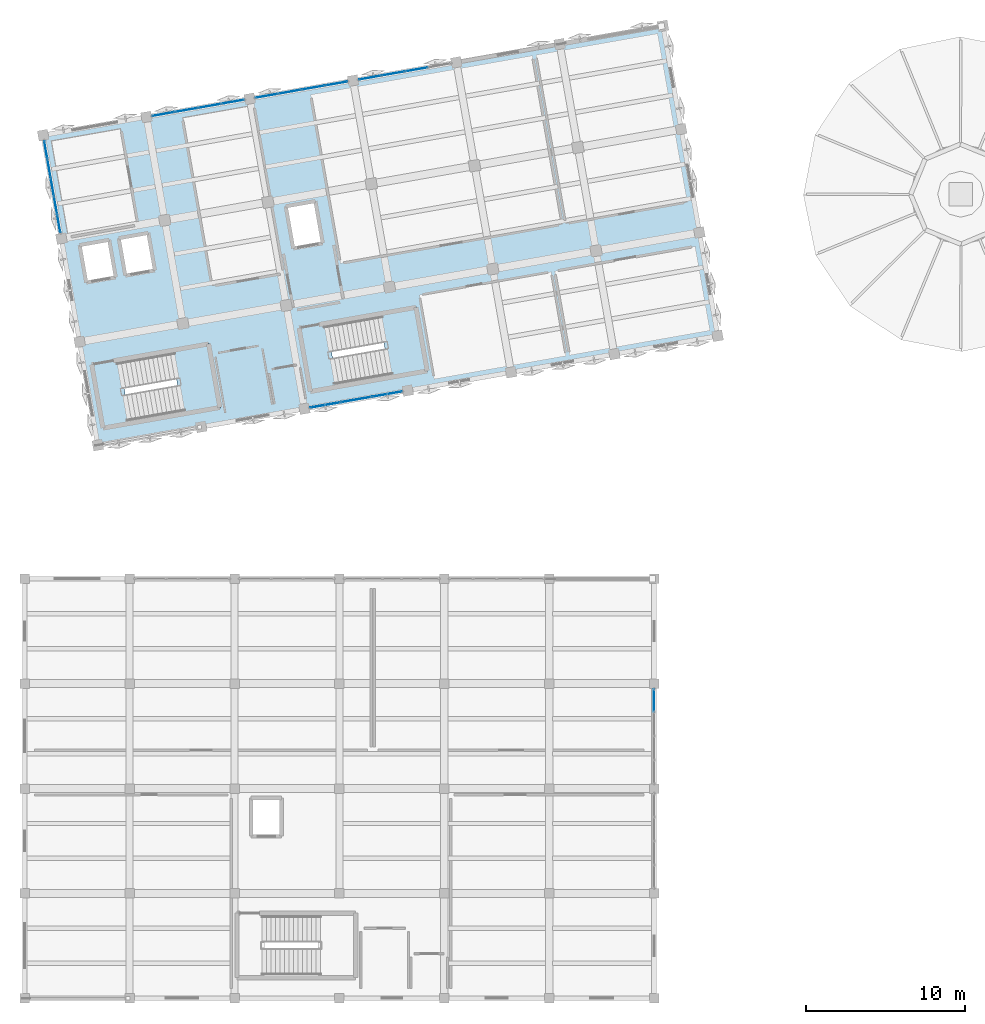
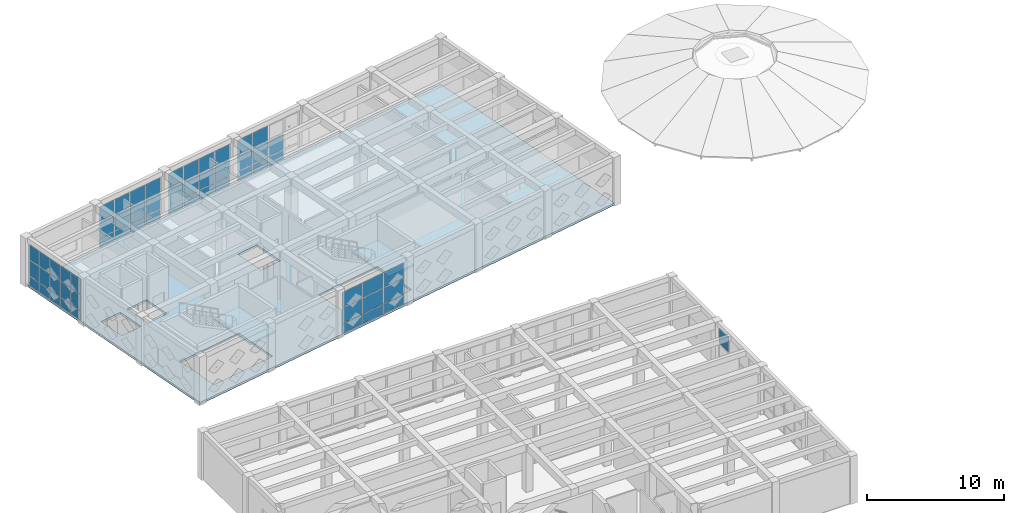
# One storey, part 43 of 67: 57 plates, 3 slabs, 8 elements without a shape of their own.
"""IFC4 building model written with IfcOpenShell, lengths in metres."""

from ifc_helpers import new_model, si_unit, direction, frame, origin, origin_2d, place, context, subcontext, project, spatial, polyline, rectangle, outline, extrude, material, layer, layer_set, type_object, element, aggregate, save


model = new_model("IFC4")

# Units and contexts
model_context = context("Model", 3, precision=1e-05, world=origin(), true_north=direction((0.0, 1.0)))
body_context = subcontext(model_context, "Body", "Model", "MODEL_VIEW")
ifc_project = project(units=[si_unit("LENGTHUNIT", "METRE"), si_unit("AREAUNIT", "SQUARE_METRE"), si_unit("VOLUMEUNIT", "CUBIC_METRE"), si_unit("PLANEANGLEUNIT", "RADIAN"), si_unit("MASSUNIT", "GRAM", prefix="KILO")], contexts=[model_context])

# Site, building, storey
site_placement = place(None, origin())
site = spatial("IfcSite", under=ifc_project, at=site_placement, CompositionType="ELEMENT")
building_placement = place(site_placement, origin())
building = spatial("IfcBuilding", under=site, at=building_placement, Name="Kharisveld Research Institute", CompositionType="ELEMENT")
storey_placement = place(building_placement, frame((0.0, 0.0, 9.60009765625)))
storey = spatial("IfcBuildingStorey", under=building, at=storey_placement, Name="L02", CompositionType="ELEMENT", Elevation=9.60009765625)

# Curtain wall, plates
ifc_material_1 = material(Name="Thermally Broken Aluminium Curtain Wall", Category="aluminium")
ifc_layer_1 = layer(ifc_material_1, 0.159912109375)
ifc_layer_set_1 = layer_set([ifc_layer_1], Name="CW_SYS_01")
curtain_wall_type_1 = type_object("IfcCurtainWallType", Name="CW_SYS_01", PredefinedType="NOTDEFINED", material=ifc_layer_set_1)
curtain_wall_1_placement = place(storey_placement, origin())
curtain_wall_1 = element("IfcCurtainWall", 1, at=curtain_wall_1_placement, inside=storey, type_object=curtain_wall_type_1, Name="CW:V1:L02:W2", PredefinedType="NOTDEFINED")
ifc_material_2 = material(Name="Low-E Double Glazing", Category="glass")
ifc_layer_2 = layer(ifc_material_2, 0.028076171875)
ifc_layer_set_2 = layer_set([ifc_layer_2], Name="CW_PNL_GLZ")
plate_type_1 = type_object("IfcPlateType", Name="CW_PNL_GLZ", PredefinedType="CURTAIN_PANEL", material=ifc_layer_set_2)
plate_1_placement = place(storey_placement, frame((2.745849609375, 48.9287109375, 0.06494140625), z_axis=(0.0, 0.0, 1.0), x_axis=(-0.173648266375, 0.984807737371, 0.0)))
plate_1 = element("IfcPlate", 2, at=plate_1_placement, type_object=plate_type_1, Name="CW-01 panel 1.1", PredefinedType="CURTAIN_PANEL", context=body_context, shape_type="SweptSolid", body=[
    extrude(rectangle(XDim=1.0869140625, YDim=0.028076171875, at=origin_2d()), origin(), (0.0, 0.0, 1.0), 0.802490234375),
])
plate_2_placement = place(storey_placement, frame((2.745849609375, 48.9287109375, 0.9326171875), z_axis=(0.0, 0.0, 1.0), x_axis=(-0.173648266375, 0.984807737371, 0.0)))
plate_2 = element("IfcPlate", 3, at=plate_2_placement, type_object=plate_type_1, Name="CW-01 panel 1.2", PredefinedType="CURTAIN_PANEL", context=body_context, shape_type="SweptSolid", body=[
    extrude(rectangle(XDim=1.0869140625, YDim=0.028076171875, at=origin_2d()), origin(), (0.0, 0.0, 1.0), 1.385009765625),
])
plate_3_placement = place(storey_placement, frame((2.745849609375, 48.9287109375, 2.38232421875), z_axis=(0.0, 0.0, 1.0), x_axis=(-0.173648266375, 0.984807737371, 0.0)))
plate_3 = element("IfcPlate", 4, at=plate_3_placement, type_object=plate_type_1, Name="CW-01 panel 1.3", PredefinedType="CURTAIN_PANEL", context=body_context, shape_type="SweptSolid", body=[
    extrude(rectangle(XDim=1.0869140625, YDim=0.028076171875, at=origin_2d()), origin(), (0.0, 0.0, 1.0), 1.33251953125),
])
plate_4_placement = place(storey_placement, frame((2.541748046875, 50.08544921875, 0.06494140625), z_axis=(0.0, 0.0, 1.0), x_axis=(-0.173648266375, 0.984807737371, 0.0)))
plate_4 = element("IfcPlate", 5, at=plate_4_placement, type_object=plate_type_1, Name="CW-01 panel 2.1", PredefinedType="CURTAIN_PANEL", context=body_context, shape_type="SweptSolid", body=[
    extrude(rectangle(XDim=1.1220703125, YDim=0.028076171875, at=origin_2d()), origin(), (0.0, 0.0, 1.0), 0.802490234375),
])
plate_5_placement = place(storey_placement, frame((2.541748046875, 50.08544921875, 0.9326171875), z_axis=(0.0, 0.0, 1.0), x_axis=(-0.173648266375, 0.984807737371, 0.0)))
plate_5 = element("IfcPlate", 6, at=plate_5_placement, type_object=plate_type_1, Name="CW-01 panel 2.2", PredefinedType="CURTAIN_PANEL", context=body_context, shape_type="SweptSolid", body=[
    extrude(rectangle(XDim=1.1220703125, YDim=0.028076171875, at=origin_2d()), origin(), (0.0, 0.0, 1.0), 1.385009765625),
])
plate_6_placement = place(storey_placement, frame((2.541748046875, 50.08544921875, 2.38232421875), z_axis=(0.0, 0.0, 1.0), x_axis=(-0.173648266375, 0.984807737371, 0.0)))
plate_6 = element("IfcPlate", 7, at=plate_6_placement, type_object=plate_type_1, Name="CW-01 panel 2.3", PredefinedType="CURTAIN_PANEL", context=body_context, shape_type="SweptSolid", body=[
    extrude(rectangle(XDim=1.1220703125, YDim=0.028076171875, at=origin_2d()), origin(), (0.0, 0.0, 1.0), 1.33251953125),
])
plate_7_placement = place(storey_placement, frame((2.334716796875, 51.25927734375, 0.06494140625), z_axis=(0.0, 0.0, 1.0), x_axis=(-0.173648266375, 0.984807737371, 0.0)))
plate_7 = element("IfcPlate", 8, at=plate_7_placement, type_object=plate_type_1, Name="CW-01 panel 3.1", PredefinedType="CURTAIN_PANEL", context=body_context, shape_type="SweptSolid", body=[
    extrude(rectangle(XDim=1.1220703125, YDim=0.028076171875, at=origin_2d()), origin(), (0.0, 0.0, 1.0), 0.802490234375),
])
plate_8_placement = place(storey_placement, frame((2.334716796875, 51.25927734375, 0.9326171875), z_axis=(0.0, 0.0, 1.0), x_axis=(-0.173648266375, 0.984807737371, 0.0)))
plate_8 = element("IfcPlate", 9, at=plate_8_placement, type_object=plate_type_1, Name="CW-01 panel 3.2", PredefinedType="CURTAIN_PANEL", context=body_context, shape_type="SweptSolid", body=[
    extrude(rectangle(XDim=1.1220703125, YDim=0.028076171875, at=origin_2d()), origin(), (0.0, 0.0, 1.0), 1.385009765625),
])
plate_9_placement = place(storey_placement, frame((2.334716796875, 51.25927734375, 2.38232421875), z_axis=(0.0, 0.0, 1.0), x_axis=(-0.173648266375, 0.984807737371, 0.0)))
plate_9 = element("IfcPlate", 10, at=plate_9_placement, type_object=plate_type_1, Name="CW-01 panel 3.3", PredefinedType="CURTAIN_PANEL", context=body_context, shape_type="SweptSolid", body=[
    extrude(rectangle(XDim=1.1220703125, YDim=0.028076171875, at=origin_2d()), origin(), (0.0, 0.0, 1.0), 1.33251953125),
])
plate_10_placement = place(storey_placement, frame((2.1279296875, 52.43310546875, 0.06494140625), z_axis=(0.0, 0.0, 1.0), x_axis=(-0.173648266375, 0.984807737371, 0.0)))
plate_10 = element("IfcPlate", 11, at=plate_10_placement, type_object=plate_type_1, Name="CW-01 panel 4.1", PredefinedType="CURTAIN_PANEL", context=body_context, shape_type="SweptSolid", body=[
    extrude(rectangle(XDim=1.1220703125, YDim=0.028076171875, at=origin_2d()), origin(), (0.0, 0.0, 1.0), 0.802490234375),
])
plate_11_placement = place(storey_placement, frame((2.1279296875, 52.43310546875, 0.9326171875), z_axis=(0.0, 0.0, 1.0), x_axis=(-0.173648266375, 0.984807737371, 0.0)))
plate_11 = element("IfcPlate", 12, at=plate_11_placement, type_object=plate_type_1, Name="CW-01 panel 4.2", PredefinedType="CURTAIN_PANEL", context=body_context, shape_type="SweptSolid", body=[
    extrude(rectangle(XDim=1.1220703125, YDim=0.028076171875, at=origin_2d()), origin(), (0.0, 0.0, 1.0), 1.385009765625),
])
plate_12_placement = place(storey_placement, frame((2.1279296875, 52.43310546875, 2.38232421875), z_axis=(0.0, 0.0, 1.0), x_axis=(-0.173648266375, 0.984807737371, 0.0)))
plate_12 = element("IfcPlate", 13, at=plate_12_placement, type_object=plate_type_1, Name="CW-01 panel 4.3", PredefinedType="CURTAIN_PANEL", context=body_context, shape_type="SweptSolid", body=[
    extrude(rectangle(XDim=1.1220703125, YDim=0.028076171875, at=origin_2d()), origin(), (0.0, 0.0, 1.0), 1.33251953125),
])
plate_13_placement = place(storey_placement, frame((1.923828125, 53.58984375, 0.06494140625), z_axis=(0.0, 0.0, 1.0), x_axis=(-0.173648266375, 0.984807737371, 0.0)))
plate_13 = element("IfcPlate", 14, at=plate_13_placement, type_object=plate_type_1, Name="CW-01 panel 5.1", PredefinedType="CURTAIN_PANEL", context=body_context, shape_type="SweptSolid", body=[
    extrude(rectangle(XDim=1.0869140625, YDim=0.028076171875, at=origin_2d()), origin(), (0.0, 0.0, 1.0), 0.802490234375),
])
plate_14_placement = place(storey_placement, frame((1.923828125, 53.58984375, 0.9326171875), z_axis=(0.0, 0.0, 1.0), x_axis=(-0.173648266375, 0.984807737371, 0.0)))
plate_14 = element("IfcPlate", 15, at=plate_14_placement, type_object=plate_type_1, Name="CW-01 panel 5.2", PredefinedType="CURTAIN_PANEL", context=body_context, shape_type="SweptSolid", body=[
    extrude(rectangle(XDim=1.0869140625, YDim=0.028076171875, at=origin_2d()), origin(), (0.0, 0.0, 1.0), 1.385009765625),
])
plate_15_placement = place(storey_placement, frame((1.923828125, 53.58984375, 2.38232421875), z_axis=(0.0, 0.0, 1.0), x_axis=(-0.173648266375, 0.984807737371, 0.0)))
plate_15 = element("IfcPlate", 16, at=plate_15_placement, type_object=plate_type_1, Name="CW-01 panel 5.3", PredefinedType="CURTAIN_PANEL", context=body_context, shape_type="SweptSolid", body=[
    extrude(rectangle(XDim=1.0869140625, YDim=0.028076171875, at=origin_2d()), origin(), (0.0, 0.0, 1.0), 1.33251953125),
])
aggregate(curtain_wall_1, [plate_1, plate_2, plate_3, plate_4, plate_5, plate_6, plate_7, plate_8, plate_9, plate_10, plate_11, plate_12, plate_13, plate_14, plate_15])

ifc_material_3 = material(Name="Thermally Broken Aluminium Curtain Wall", Category="aluminium")
ifc_layer_3 = layer(ifc_material_3, 0.159912109375)
ifc_layer_set_3 = layer_set([ifc_layer_3], Name="CW_SYS_02")
curtain_wall_type_2 = type_object("IfcCurtainWallType", Name="CW_SYS_02", PredefinedType="NOTDEFINED", material=ifc_layer_set_3)
curtain_wall_2_placement = place(storey_placement, origin())
curtain_wall_2 = element("IfcCurtainWall", 17, at=curtain_wall_2_placement, inside=storey, type_object=curtain_wall_type_2, Name="CW:V1:L02:N1", PredefinedType="NOTDEFINED")
plate_16_placement = place(storey_placement, frame((9.32763671875, 55.84326171875, 0.06494140625), z_axis=(0.0, 0.0, 1.0), x_axis=(0.984807732312, 0.173648295062, 0.0)))
plate_16 = element("IfcPlate", 18, at=plate_16_placement, type_object=plate_type_1, Name="CW-02 panel 1.1", PredefinedType="CURTAIN_PANEL", context=body_context, shape_type="SweptSolid", body=[
    extrude(rectangle(XDim=1.385009765625, YDim=0.028076171875, at=origin_2d()), origin(), (0.0, 0.0, 1.0), 0.802490234375),
])
plate_17_placement = place(storey_placement, frame((9.32763671875, 55.84326171875, 0.9326171875), z_axis=(0.0, 0.0, 1.0), x_axis=(0.984807732312, 0.173648295062, 0.0)))
plate_17 = element("IfcPlate", 19, at=plate_17_placement, type_object=plate_type_1, Name="CW-02 panel 1.2", PredefinedType="CURTAIN_PANEL", context=body_context, shape_type="SweptSolid", body=[
    extrude(rectangle(XDim=1.385009765625, YDim=0.028076171875, at=origin_2d()), origin(), (0.0, 0.0, 1.0), 1.385009765625),
])
plate_18_placement = place(storey_placement, frame((9.32763671875, 55.84326171875, 2.38232421875), z_axis=(0.0, 0.0, 1.0), x_axis=(0.984807732312, 0.173648295062, 0.0)))
plate_18 = element("IfcPlate", 20, at=plate_18_placement, type_object=plate_type_1, Name="CW-02 panel 1.3", PredefinedType="CURTAIN_PANEL", context=body_context, shape_type="SweptSolid", body=[
    extrude(rectangle(XDim=1.385009765625, YDim=0.028076171875, at=origin_2d()), origin(), (0.0, 0.0, 1.0), 1.33251953125),
])
plate_19_placement = place(storey_placement, frame((10.777587890625, 56.098876953125, 0.06494140625), z_axis=(0.0, 0.0, 1.0), x_axis=(0.984807732312, 0.173648295062, 0.0)))
plate_19 = element("IfcPlate", 21, at=plate_19_placement, type_object=plate_type_1, Name="CW-02 panel 2.1", PredefinedType="CURTAIN_PANEL", context=body_context, shape_type="SweptSolid", body=[
    extrude(rectangle(XDim=1.419921875, YDim=0.028076171875, at=origin_2d()), origin(), (0.0, 0.0, 1.0), 0.802490234375),
])
plate_20_placement = place(storey_placement, frame((10.777587890625, 56.098876953125, 0.9326171875), z_axis=(0.0, 0.0, 1.0), x_axis=(0.984807732312, 0.173648295062, 0.0)))
plate_20 = element("IfcPlate", 22, at=plate_20_placement, type_object=plate_type_1, Name="CW-02 panel 2.2", PredefinedType="CURTAIN_PANEL", context=body_context, shape_type="SweptSolid", body=[
    extrude(rectangle(XDim=1.419921875, YDim=0.028076171875, at=origin_2d()), origin(), (0.0, 0.0, 1.0), 1.385009765625),
])
plate_21_placement = place(storey_placement, frame((10.777587890625, 56.098876953125, 2.38232421875), z_axis=(0.0, 0.0, 1.0), x_axis=(0.984807732312, 0.173648295062, 0.0)))
plate_21 = element("IfcPlate", 23, at=plate_21_placement, type_object=plate_type_1, Name="CW-02 panel 2.3", PredefinedType="CURTAIN_PANEL", context=body_context, shape_type="SweptSolid", body=[
    extrude(rectangle(XDim=1.419921875, YDim=0.028076171875, at=origin_2d()), origin(), (0.0, 0.0, 1.0), 1.33251953125),
])
plate_22_placement = place(storey_placement, frame((12.2451171875, 56.357666015625, 0.06494140625), z_axis=(0.0, 0.0, 1.0), x_axis=(0.984807732312, 0.173648295062, 0.0)))
plate_22 = element("IfcPlate", 24, at=plate_22_placement, type_object=plate_type_1, Name="CW-02 panel 3.1", PredefinedType="CURTAIN_PANEL", context=body_context, shape_type="SweptSolid", body=[
    extrude(rectangle(XDim=1.419921875, YDim=0.028076171875, at=origin_2d()), origin(), (0.0, 0.0, 1.0), 0.802490234375),
])
plate_23_placement = place(storey_placement, frame((12.2451171875, 56.357666015625, 0.9326171875), z_axis=(0.0, 0.0, 1.0), x_axis=(0.984807732312, 0.173648295062, 0.0)))
plate_23 = element("IfcPlate", 25, at=plate_23_placement, type_object=plate_type_1, Name="CW-02 panel 3.2", PredefinedType="CURTAIN_PANEL", context=body_context, shape_type="SweptSolid", body=[
    extrude(rectangle(XDim=1.419921875, YDim=0.028076171875, at=origin_2d()), origin(), (0.0, 0.0, 1.0), 1.385009765625),
])
plate_24_placement = place(storey_placement, frame((12.2451171875, 56.357666015625, 2.38232421875), z_axis=(0.0, 0.0, 1.0), x_axis=(0.984807732312, 0.173648295062, 0.0)))
plate_24 = element("IfcPlate", 26, at=plate_24_placement, type_object=plate_type_1, Name="CW-02 panel 3.3", PredefinedType="CURTAIN_PANEL", context=body_context, shape_type="SweptSolid", body=[
    extrude(rectangle(XDim=1.419921875, YDim=0.028076171875, at=origin_2d()), origin(), (0.0, 0.0, 1.0), 1.33251953125),
])
plate_25_placement = place(storey_placement, frame((13.695068359375, 56.61328125, 0.06494140625), z_axis=(0.0, 0.0, 1.0), x_axis=(0.984807732312, 0.173648295062, 0.0)))
plate_25 = element("IfcPlate", 27, at=plate_25_placement, type_object=plate_type_1, Name="CW-02 panel 4.1", PredefinedType="CURTAIN_PANEL", context=body_context, shape_type="SweptSolid", body=[
    extrude(rectangle(XDim=1.385009765625, YDim=0.028076171875, at=origin_2d()), origin(), (0.0, 0.0, 1.0), 0.802490234375),
])
plate_26_placement = place(storey_placement, frame((13.695068359375, 56.61328125, 0.9326171875), z_axis=(0.0, 0.0, 1.0), x_axis=(0.984807732312, 0.173648295062, 0.0)))
plate_26 = element("IfcPlate", 28, at=plate_26_placement, type_object=plate_type_1, Name="CW-02 panel 4.2", PredefinedType="CURTAIN_PANEL", context=body_context, shape_type="SweptSolid", body=[
    extrude(rectangle(XDim=1.385009765625, YDim=0.028076171875, at=origin_2d()), origin(), (0.0, 0.0, 1.0), 1.385009765625),
])
plate_27_placement = place(storey_placement, frame((13.695068359375, 56.61328125, 2.38232421875), z_axis=(0.0, 0.0, 1.0), x_axis=(0.984807732312, 0.173648295062, 0.0)))
plate_27 = element("IfcPlate", 29, at=plate_27_placement, type_object=plate_type_1, Name="CW-02 panel 4.3", PredefinedType="CURTAIN_PANEL", context=body_context, shape_type="SweptSolid", body=[
    extrude(rectangle(XDim=1.385009765625, YDim=0.028076171875, at=origin_2d()), origin(), (0.0, 0.0, 1.0), 1.33251953125),
])
aggregate(curtain_wall_2, [plate_16, plate_17, plate_18, plate_19, plate_20, plate_21, plate_22, plate_23, plate_24, plate_25, plate_26, plate_27])

ifc_material_4 = material(Name="Thermally Broken Aluminium Curtain Wall", Category="aluminium")
ifc_layer_4 = layer(ifc_material_4, 0.159912109375)
ifc_layer_set_4 = layer_set([ifc_layer_4], Name="CW_SYS_03")
curtain_wall_type_3 = type_object("IfcCurtainWallType", Name="CW_SYS_03", PredefinedType="NOTDEFINED", material=ifc_layer_set_4)
curtain_wall_3_placement = place(storey_placement, origin())
curtain_wall_3 = element("IfcCurtainWall", 30, at=curtain_wall_3_placement, inside=storey, type_object=curtain_wall_type_3, Name="CW:V1:L02:N2", PredefinedType="NOTDEFINED")
plate_28_placement = place(storey_placement, frame((15.827392578125, 56.9892578125, 0.06494140625), z_axis=(0.0, 0.0, 1.0), x_axis=(0.984807737371, 0.173648266375, 0.0)))
plate_28 = element("IfcPlate", 31, at=plate_28_placement, type_object=plate_type_1, Name="CW-03 panel 1.1", PredefinedType="CURTAIN_PANEL", context=body_context, shape_type="SweptSolid", body=[
    extrude(rectangle(XDim=1.385009765625, YDim=0.028076171875, at=origin_2d()), origin(), (0.0, 0.0, 1.0), 0.802490234375),
])
plate_29_placement = place(storey_placement, frame((15.827392578125, 56.9892578125, 0.9326171875), z_axis=(0.0, 0.0, 1.0), x_axis=(0.984807737371, 0.173648266375, 0.0)))
plate_29 = element("IfcPlate", 32, at=plate_29_placement, type_object=plate_type_1, Name="CW-03 panel 1.2", PredefinedType="CURTAIN_PANEL", context=body_context, shape_type="SweptSolid", body=[
    extrude(rectangle(XDim=1.385009765625, YDim=0.028076171875, at=origin_2d()), origin(), (0.0, 0.0, 1.0), 1.385009765625),
])
plate_30_placement = place(storey_placement, frame((15.827392578125, 56.9892578125, 2.38232421875), z_axis=(0.0, 0.0, 1.0), x_axis=(0.984807737371, 0.173648266375, 0.0)))
plate_30 = element("IfcPlate", 33, at=plate_30_placement, type_object=plate_type_1, Name="CW-03 panel 1.3", PredefinedType="CURTAIN_PANEL", context=body_context, shape_type="SweptSolid", body=[
    extrude(rectangle(XDim=1.385009765625, YDim=0.028076171875, at=origin_2d()), origin(), (0.0, 0.0, 1.0), 1.33251953125),
])
plate_31_placement = place(storey_placement, frame((17.27734375, 57.2451171875, 0.06494140625), z_axis=(0.0, 0.0, 1.0), x_axis=(0.984807737371, 0.173648266375, 0.0)))
plate_31 = element("IfcPlate", 34, at=plate_31_placement, type_object=plate_type_1, Name="CW-03 panel 2.1", PredefinedType="CURTAIN_PANEL", context=body_context, shape_type="SweptSolid", body=[
    extrude(rectangle(XDim=1.419921875, YDim=0.028076171875, at=origin_2d()), origin(), (0.0, 0.0, 1.0), 0.802490234375),
])
plate_32_placement = place(storey_placement, frame((17.27734375, 57.2451171875, 0.9326171875), z_axis=(0.0, 0.0, 1.0), x_axis=(0.984807737371, 0.173648266375, 0.0)))
plate_32 = element("IfcPlate", 35, at=plate_32_placement, type_object=plate_type_1, Name="CW-03 panel 2.2", PredefinedType="CURTAIN_PANEL", context=body_context, shape_type="SweptSolid", body=[
    extrude(rectangle(XDim=1.419921875, YDim=0.028076171875, at=origin_2d()), origin(), (0.0, 0.0, 1.0), 1.385009765625),
])
plate_33_placement = place(storey_placement, frame((17.27734375, 57.2451171875, 2.38232421875), z_axis=(0.0, 0.0, 1.0), x_axis=(0.984807737371, 0.173648266375, 0.0)))
plate_33 = element("IfcPlate", 36, at=plate_33_placement, type_object=plate_type_1, Name="CW-03 panel 2.3", PredefinedType="CURTAIN_PANEL", context=body_context, shape_type="SweptSolid", body=[
    extrude(rectangle(XDim=1.419921875, YDim=0.028076171875, at=origin_2d()), origin(), (0.0, 0.0, 1.0), 1.33251953125),
])
plate_34_placement = place(storey_placement, frame((18.744873046875, 57.503662109375, 0.06494140625), z_axis=(0.0, 0.0, 1.0), x_axis=(0.984807737371, 0.173648266375, 0.0)))
plate_34 = element("IfcPlate", 37, at=plate_34_placement, type_object=plate_type_1, Name="CW-03 panel 3.1", PredefinedType="CURTAIN_PANEL", context=body_context, shape_type="SweptSolid", body=[
    extrude(rectangle(XDim=1.419921875, YDim=0.028076171875, at=origin_2d()), origin(), (0.0, 0.0, 1.0), 0.802490234375),
])
plate_35_placement = place(storey_placement, frame((18.744873046875, 57.503662109375, 0.9326171875), z_axis=(0.0, 0.0, 1.0), x_axis=(0.984807737371, 0.173648266375, 0.0)))
plate_35 = element("IfcPlate", 38, at=plate_35_placement, type_object=plate_type_1, Name="CW-03 panel 3.2", PredefinedType="CURTAIN_PANEL", context=body_context, shape_type="SweptSolid", body=[
    extrude(rectangle(XDim=1.419921875, YDim=0.028076171875, at=origin_2d()), origin(), (0.0, 0.0, 1.0), 1.385009765625),
])
plate_36_placement = place(storey_placement, frame((18.744873046875, 57.503662109375, 2.38232421875), z_axis=(0.0, 0.0, 1.0), x_axis=(0.984807737371, 0.173648266375, 0.0)))
plate_36 = element("IfcPlate", 39, at=plate_36_placement, type_object=plate_type_1, Name="CW-03 panel 3.3", PredefinedType="CURTAIN_PANEL", context=body_context, shape_type="SweptSolid", body=[
    extrude(rectangle(XDim=1.419921875, YDim=0.028076171875, at=origin_2d()), origin(), (0.0, 0.0, 1.0), 1.33251953125),
])
plate_37_placement = place(storey_placement, frame((20.19482421875, 57.759521484375, 0.06494140625), z_axis=(0.0, 0.0, 1.0), x_axis=(0.984807737371, 0.173648266375, 0.0)))
plate_37 = element("IfcPlate", 40, at=plate_37_placement, type_object=plate_type_1, Name="CW-03 panel 4.1", PredefinedType="CURTAIN_PANEL", context=body_context, shape_type="SweptSolid", body=[
    extrude(rectangle(XDim=1.385009765625, YDim=0.028076171875, at=origin_2d()), origin(), (0.0, 0.0, 1.0), 0.802490234375),
])
plate_38_placement = place(storey_placement, frame((20.19482421875, 57.759521484375, 0.9326171875), z_axis=(0.0, 0.0, 1.0), x_axis=(0.984807737371, 0.173648266375, 0.0)))
plate_38 = element("IfcPlate", 41, at=plate_38_placement, type_object=plate_type_1, Name="CW-03 panel 4.2", PredefinedType="CURTAIN_PANEL", context=body_context, shape_type="SweptSolid", body=[
    extrude(rectangle(XDim=1.385009765625, YDim=0.028076171875, at=origin_2d()), origin(), (0.0, 0.0, 1.0), 1.385009765625),
])
plate_39_placement = place(storey_placement, frame((20.19482421875, 57.759521484375, 2.38232421875), z_axis=(0.0, 0.0, 1.0), x_axis=(0.984807737371, 0.173648266375, 0.0)))
plate_39 = element("IfcPlate", 42, at=plate_39_placement, type_object=plate_type_1, Name="CW-03 panel 4.3", PredefinedType="CURTAIN_PANEL", context=body_context, shape_type="SweptSolid", body=[
    extrude(rectangle(XDim=1.385009765625, YDim=0.028076171875, at=origin_2d()), origin(), (0.0, 0.0, 1.0), 1.33251953125),
])
aggregate(curtain_wall_3, [plate_28, plate_29, plate_30, plate_31, plate_32, plate_33, plate_34, plate_35, plate_36, plate_37, plate_38, plate_39])

ifc_material_5 = material(Name="Thermally Broken Aluminium Curtain Wall", Category="aluminium")
ifc_layer_5 = layer(ifc_material_5, 0.159912109375)
ifc_layer_set_5 = layer_set([ifc_layer_5], Name="CW_SYS_04")
curtain_wall_type_4 = type_object("IfcCurtainWallType", Name="CW_SYS_04", PredefinedType="NOTDEFINED", material=ifc_layer_set_5)
curtain_wall_4_placement = place(storey_placement, origin())
curtain_wall_4 = element("IfcCurtainWall", 43, at=curtain_wall_4_placement, inside=storey, type_object=curtain_wall_type_4, Name="CW:V1:L02:N3", PredefinedType="NOTDEFINED")
plate_40_placement = place(storey_placement, frame((22.326904296875, 58.135498046875, 0.06494140625), z_axis=(0.0, 0.0, 1.0), x_axis=(0.984807732312, 0.173648295062, 0.0)))
plate_40 = element("IfcPlate", 44, at=plate_40_placement, type_object=plate_type_1, Name="CW-04 panel 1.1", PredefinedType="CURTAIN_PANEL", context=body_context, shape_type="SweptSolid", body=[
    extrude(rectangle(XDim=1.385009765625, YDim=0.028076171875, at=origin_2d()), origin(), (0.0, 0.0, 1.0), 0.802490234375),
])
plate_41_placement = place(storey_placement, frame((22.326904296875, 58.135498046875, 0.9326171875), z_axis=(0.0, 0.0, 1.0), x_axis=(0.984807732312, 0.173648295062, 0.0)))
plate_41 = element("IfcPlate", 45, at=plate_41_placement, type_object=plate_type_1, Name="CW-04 panel 1.2", PredefinedType="CURTAIN_PANEL", context=body_context, shape_type="SweptSolid", body=[
    extrude(rectangle(XDim=1.385009765625, YDim=0.028076171875, at=origin_2d()), origin(), (0.0, 0.0, 1.0), 1.385009765625),
])
plate_42_placement = place(storey_placement, frame((22.326904296875, 58.135498046875, 2.38232421875), z_axis=(0.0, 0.0, 1.0), x_axis=(0.984807732312, 0.173648295062, 0.0)))
plate_42 = element("IfcPlate", 46, at=plate_42_placement, type_object=plate_type_1, Name="CW-04 panel 1.3", PredefinedType="CURTAIN_PANEL", context=body_context, shape_type="SweptSolid", body=[
    extrude(rectangle(XDim=1.385009765625, YDim=0.028076171875, at=origin_2d()), origin(), (0.0, 0.0, 1.0), 1.33251953125),
])
plate_43_placement = place(storey_placement, frame((23.777099609375, 58.39111328125, 0.06494140625), z_axis=(0.0, 0.0, 1.0), x_axis=(0.984807732312, 0.173648295062, 0.0)))
plate_43 = element("IfcPlate", 47, at=plate_43_placement, type_object=plate_type_1, Name="CW-04 panel 2.1", PredefinedType="CURTAIN_PANEL", context=body_context, shape_type="SweptSolid", body=[
    extrude(rectangle(XDim=1.419921875, YDim=0.028076171875, at=origin_2d()), origin(), (0.0, 0.0, 1.0), 0.802490234375),
])
plate_44_placement = place(storey_placement, frame((23.777099609375, 58.39111328125, 0.9326171875), z_axis=(0.0, 0.0, 1.0), x_axis=(0.984807732312, 0.173648295062, 0.0)))
plate_44 = element("IfcPlate", 48, at=plate_44_placement, type_object=plate_type_1, Name="CW-04 panel 2.2", PredefinedType="CURTAIN_PANEL", context=body_context, shape_type="SweptSolid", body=[
    extrude(rectangle(XDim=1.419921875, YDim=0.028076171875, at=origin_2d()), origin(), (0.0, 0.0, 1.0), 1.385009765625),
])
plate_45_placement = place(storey_placement, frame((23.777099609375, 58.39111328125, 2.38232421875), z_axis=(0.0, 0.0, 1.0), x_axis=(0.984807732312, 0.173648295062, 0.0)))
plate_45 = element("IfcPlate", 49, at=plate_45_placement, type_object=plate_type_1, Name="CW-04 panel 2.3", PredefinedType="CURTAIN_PANEL", context=body_context, shape_type="SweptSolid", body=[
    extrude(rectangle(XDim=1.419921875, YDim=0.028076171875, at=origin_2d()), origin(), (0.0, 0.0, 1.0), 1.33251953125),
])
plate_46_placement = place(storey_placement, frame((25.24462890625, 58.64990234375, 0.06494140625), z_axis=(0.0, 0.0, 1.0), x_axis=(0.984807732312, 0.173648295062, 0.0)))
plate_46 = element("IfcPlate", 50, at=plate_46_placement, type_object=plate_type_1, Name="CW-04 panel 3.1", PredefinedType="CURTAIN_PANEL", context=body_context, shape_type="SweptSolid", body=[
    extrude(rectangle(XDim=1.419921875, YDim=0.028076171875, at=origin_2d()), origin(), (0.0, 0.0, 1.0), 0.802490234375),
])
plate_47_placement = place(storey_placement, frame((25.24462890625, 58.64990234375, 0.9326171875), z_axis=(0.0, 0.0, 1.0), x_axis=(0.984807732312, 0.173648295062, 0.0)))
plate_47 = element("IfcPlate", 51, at=plate_47_placement, type_object=plate_type_1, Name="CW-04 panel 3.2", PredefinedType="CURTAIN_PANEL", context=body_context, shape_type="SweptSolid", body=[
    extrude(rectangle(XDim=1.419921875, YDim=0.028076171875, at=origin_2d()), origin(), (0.0, 0.0, 1.0), 1.385009765625),
])
aggregate(curtain_wall_4, [plate_40, plate_41, plate_42, plate_43, plate_44, plate_45, plate_46, plate_47])

ifc_material_6 = material(Name="Thermally Broken Aluminium Curtain Wall", Category="aluminium")
ifc_layer_6 = layer(ifc_material_6, 0.159912109375)
ifc_layer_set_6 = layer_set([ifc_layer_6], Name="CW_SYS_05")
curtain_wall_type_5 = type_object("IfcCurtainWallType", Name="CW_SYS_05", PredefinedType="NOTDEFINED", material=ifc_layer_set_6)
curtain_wall_5_placement = place(storey_placement, origin())
curtain_wall_5 = element("IfcCurtainWall", 52, at=curtain_wall_5_placement, inside=storey, type_object=curtain_wall_type_5, Name="CW:V1:L02:S3", PredefinedType="NOTDEFINED")
ifc_material_7 = material(Name="Insulated Spandrel Glazing", Category="glass")
ifc_layer_7 = layer(ifc_material_7, 0.035888671875)
ifc_layer_set_7 = layer_set([ifc_layer_7], Name="CW_PNL_SPD")
plate_type_2 = type_object("IfcPlateType", Name="CW_PNL_SPD", PredefinedType="CURTAIN_PANEL", material=ifc_layer_set_7)
plate_48_placement = place(storey_placement, frame((23.388671875, 38.217041015625, 0.06494140625), z_axis=(0.0, 0.0, 1.0), x_axis=(-0.984807737371, -0.173648266375, 0.0)))
plate_48 = element("IfcPlate", 53, at=plate_48_placement, type_object=plate_type_2, Name="CW-05 panel 1.1", PredefinedType="CURTAIN_PANEL", context=body_context, shape_type="SweptSolid", body=[
    extrude(rectangle(XDim=1.881591796875, YDim=0.035888671875, at=origin_2d()), origin(), (0.0, 0.0, 1.0), 0.802490234375),
])
plate_49_placement = place(storey_placement, frame((23.388671875, 38.217041015625, 0.9326171875), z_axis=(0.0, 0.0, 1.0), x_axis=(-0.984807737371, -0.173648266375, 0.0)))
plate_49 = element("IfcPlate", 54, at=plate_49_placement, type_object=plate_type_2, Name="CW-05 panel 1.2", PredefinedType="CURTAIN_PANEL", context=body_context, shape_type="SweptSolid", body=[
    extrude(rectangle(XDim=1.881591796875, YDim=0.035888671875, at=origin_2d()), origin(), (0.0, 0.0, 1.0), 1.385009765625),
])
plate_50_placement = place(storey_placement, frame((23.388671875, 38.217041015625, 2.38232421875), z_axis=(0.0, 0.0, 1.0), x_axis=(-0.984807737371, -0.173648266375, 0.0)))
plate_50 = element("IfcPlate", 55, at=plate_50_placement, type_object=plate_type_2, Name="CW-05 panel 1.3", PredefinedType="CURTAIN_PANEL", context=body_context, shape_type="SweptSolid", body=[
    extrude(rectangle(XDim=1.881591796875, YDim=0.035888671875, at=origin_2d()), origin(), (0.0, 0.0, 1.0), 1.33251953125),
])
plate_51_placement = place(storey_placement, frame((21.44921875, 37.875244140625, 0.06494140625), z_axis=(0.0, 0.0, 1.0), x_axis=(-0.984807737371, -0.173648266375, 0.0)))
plate_51 = element("IfcPlate", 56, at=plate_51_placement, type_object=plate_type_2, Name="CW-05 panel 2.1", PredefinedType="CURTAIN_PANEL", context=body_context, shape_type="SweptSolid", body=[
    extrude(rectangle(XDim=1.916748046875, YDim=0.035888671875, at=origin_2d()), origin(), (0.0, 0.0, 1.0), 0.802490234375),
])
plate_52_placement = place(storey_placement, frame((21.44921875, 37.875244140625, 0.9326171875), z_axis=(0.0, 0.0, 1.0), x_axis=(-0.984807737371, -0.173648266375, 0.0)))
plate_52 = element("IfcPlate", 57, at=plate_52_placement, type_object=plate_type_2, Name="CW-05 panel 2.2", PredefinedType="CURTAIN_PANEL", context=body_context, shape_type="SweptSolid", body=[
    extrude(rectangle(XDim=1.916748046875, YDim=0.035888671875, at=origin_2d()), origin(), (0.0, 0.0, 1.0), 1.385009765625),
])
plate_53_placement = place(storey_placement, frame((21.44921875, 37.875244140625, 2.38232421875), z_axis=(0.0, 0.0, 1.0), x_axis=(-0.984807737371, -0.173648266375, 0.0)))
plate_53 = element("IfcPlate", 58, at=plate_53_placement, type_object=plate_type_2, Name="CW-05 panel 2.3", PredefinedType="CURTAIN_PANEL", context=body_context, shape_type="SweptSolid", body=[
    extrude(rectangle(XDim=1.916748046875, YDim=0.035888671875, at=origin_2d()), origin(), (0.0, 0.0, 1.0), 1.33251953125),
])
plate_54_placement = place(storey_placement, frame((19.510009765625, 37.533203125, 0.06494140625), z_axis=(0.0, 0.0, 1.0), x_axis=(-0.984807737371, -0.173648266375, 0.0)))
plate_54 = element("IfcPlate", 59, at=plate_54_placement, type_object=plate_type_2, Name="CW-05 panel 3.1", PredefinedType="CURTAIN_PANEL", context=body_context, shape_type="SweptSolid", body=[
    extrude(rectangle(XDim=1.881591796875, YDim=0.035888671875, at=origin_2d()), origin(), (0.0, 0.0, 1.0), 0.802490234375),
])
plate_55_placement = place(storey_placement, frame((19.510009765625, 37.533203125, 0.9326171875), z_axis=(0.0, 0.0, 1.0), x_axis=(-0.984807737371, -0.173648266375, 0.0)))
plate_55 = element("IfcPlate", 60, at=plate_55_placement, type_object=plate_type_2, Name="CW-05 panel 3.2", PredefinedType="CURTAIN_PANEL", context=body_context, shape_type="SweptSolid", body=[
    extrude(rectangle(XDim=1.881591796875, YDim=0.035888671875, at=origin_2d()), origin(), (0.0, 0.0, 1.0), 1.385009765625),
])
plate_56_placement = place(storey_placement, frame((19.510009765625, 37.533203125, 2.38232421875), z_axis=(0.0, 0.0, 1.0), x_axis=(-0.984807737371, -0.173648266375, 0.0)))
plate_56 = element("IfcPlate", 61, at=plate_56_placement, type_object=plate_type_2, Name="CW-05 panel 3.3", PredefinedType="CURTAIN_PANEL", context=body_context, shape_type="SweptSolid", body=[
    extrude(rectangle(XDim=1.881591796875, YDim=0.035888671875, at=origin_2d()), origin(), (0.0, 0.0, 1.0), 1.33251953125),
])
aggregate(curtain_wall_5, [plate_48, plate_49, plate_50, plate_51, plate_52, plate_53, plate_54, plate_55, plate_56])

# Curtain wall, plate
curtain_wall_6_placement = place(storey_placement, origin())
curtain_wall_6 = element("IfcCurtainWall", 62, at=curtain_wall_6_placement, inside=storey, type_object=curtain_wall_type_3, Name="CW:V3:L02:E3", PredefinedType="NOTDEFINED")
plate_57_placement = place(storey_placement, frame((40.199951171875, 18.9375, 2.3798828125), z_axis=(0.0, 0.0, 1.0), x_axis=(0.0, -1.0, 0.0)))
plate_57 = element("IfcPlate", 63, at=plate_57_placement, type_object=plate_type_2, Name="CW-03 panel 1.3", PredefinedType="CURTAIN_PANEL", context=body_context, shape_type="SweptSolid", body=[
    extrude(rectangle(XDim=1.405029296875, YDim=0.035888671875, at=origin_2d()), origin(), (0.0, 0.0, 1.0), 1.340087890625),
])
aggregate(curtain_wall_6, [plate_57])

# Slab
ifc_material_8 = material(Name="Concrete C40/50", Category="concrete")
ifc_layer_8 = layer(ifc_material_8, 0.18994140625)
ifc_layer_set_8 = layer_set([ifc_layer_8], Name="SL_FLR_190")
slab_type_1 = type_object("IfcSlabType", Name="SL_FLR_190", PredefinedType="FLOOR", material=ifc_layer_set_8)
slab_1_placement = place(storey_placement, frame((0.0, 0.0, -0.190185546875)))
element("IfcSlab", 64, at=slab_1_placement, inside=storey, type_object=slab_type_1, Name="SLAB:V1:L02:MAIN", PredefinedType="FLOOR", context=body_context, shape_type="SweptSolid", body=[
    extrude(outline(polyline([(5.199951171875, 35.010009765625), (44.198486328125, 41.886474609375), (40.76025390625, 61.3857421875), (1.76171875, 54.50927734375), (5.199951171875, 35.010009765625)]), holes=[polyline([(12.73974609375, 37.45654296875), (7.224853515625, 36.48388671875), (6.554443359375, 40.285400390625), (12.0693359375, 41.2578125), (12.73974609375, 37.45654296875)]), polyline([(25.788330078125, 39.75732421875), (20.2734375, 38.784912109375), (19.603271484375, 42.586181640625), (25.1181640625, 43.55859375), (25.788330078125, 39.75732421875)]), polyline([(6.29931640625, 45.591552734375), (4.487060546875, 45.272216796875), (4.080810546875, 47.57666015625), (5.892822265625, 47.89599609375), (6.29931640625, 45.591552734375)]), polyline([(6.94921875, 45.706298828125), (6.54296875, 48.0107421875), (8.35498046875, 48.330322265625), (8.76123046875, 46.025634765625), (6.94921875, 45.706298828125)]), polyline([(17.5126953125, 47.41650390625), (17.05419921875, 50.016357421875), (18.8662109375, 50.3359375), (19.32470703125, 47.736083984375), (17.5126953125, 47.41650390625)])]), origin(), (0.0, 0.0, 1.0), 0.190185546875),
])

# Stair, slab
ifc_material_9 = material(Name="Concrete C40/50", Category="concrete")
stair_type = type_object("IfcStairType", Name="ST_EXIT_170", PredefinedType="TWO_STRAIGHT_RUN_STAIR", material=ifc_material_9)
stair_1_placement = place(storey_placement, origin())
stair_1 = element("IfcStair", 65, at=stair_1_placement, inside=storey, type_object=stair_type, Name="STR:ST1:L02", PredefinedType="TWO_STRAIGHT_RUN_STAIR")
ifc_material_10 = material(Name="Concrete C40/50", Category="concrete")
ifc_layer_9 = layer(ifc_material_10, 0.179931640625)
ifc_layer_set_9 = layer_set([ifc_layer_9], Name="SL_LND_180")
slab_type_2 = type_object("IfcSlabType", Name="SL_LND_180", PredefinedType="LANDING", material=ifc_layer_set_9)
slab_2_placement = place(storey_placement, frame((0.0, 0.0, 2.06982421875)))
slab_2 = element("IfcSlab", 66, at=slab_2_placement, type_object=slab_type_2, Name="ST-01 landing 1", PredefinedType="LANDING", context=body_context, shape_type="SweptSolid", body=[
    extrude(outline(polyline([(10.54150390625, 36.936767578125), (12.909912109375, 37.3544921875), (12.194580078125, 41.411865234375), (9.826171875, 40.994140625), (10.54150390625, 36.936767578125)])), origin(), (0.0, 0.0, 1.0), 0.18017578125),
])
aggregate(stair_1, [slab_2])

stair_2_placement = place(storey_placement, origin())
stair_2 = element("IfcStair", 67, at=stair_2_placement, inside=storey, type_object=stair_type, Name="STR:ST2:L02", PredefinedType="TWO_STRAIGHT_RUN_STAIR")
slab_3_placement = place(storey_placement, frame((0.0, 0.0, 2.06982421875)))
slab_3 = element("IfcSlab", 68, at=slab_3_placement, type_object=slab_type_2, Name="ST-02 landing 1", PredefinedType="LANDING", context=body_context, shape_type="SweptSolid", body=[
    extrude(outline(polyline([(23.59033203125, 39.237548828125), (25.958740234375, 39.6552734375), (25.243408203125, 43.712646484375), (22.874755859375, 43.295166015625), (23.59033203125, 39.237548828125)])), origin(), (0.0, 0.0, 1.0), 0.18017578125),
])
aggregate(stair_2, [slab_3])

save(model, "model.ifc")
